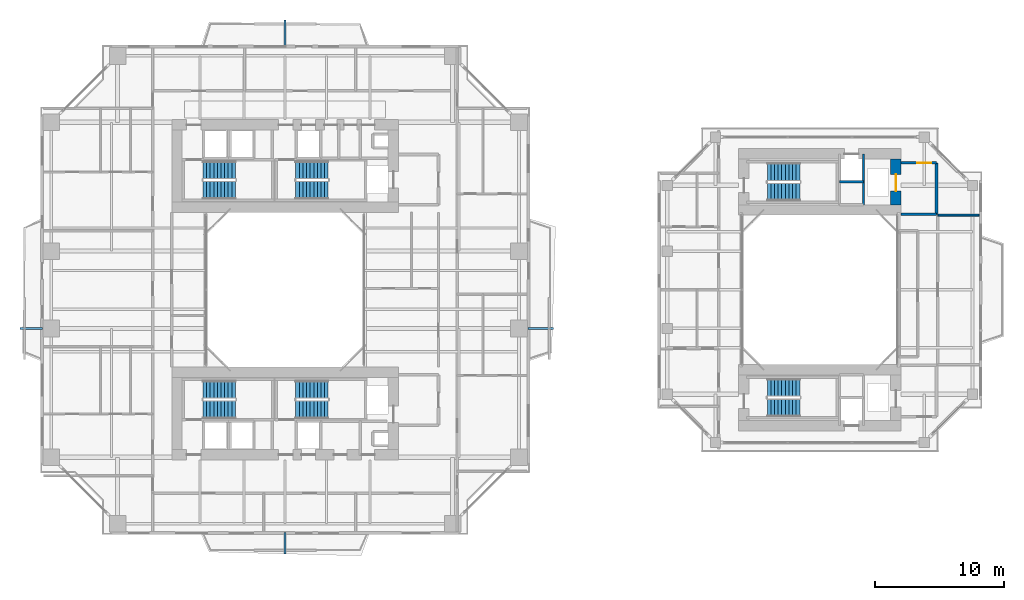
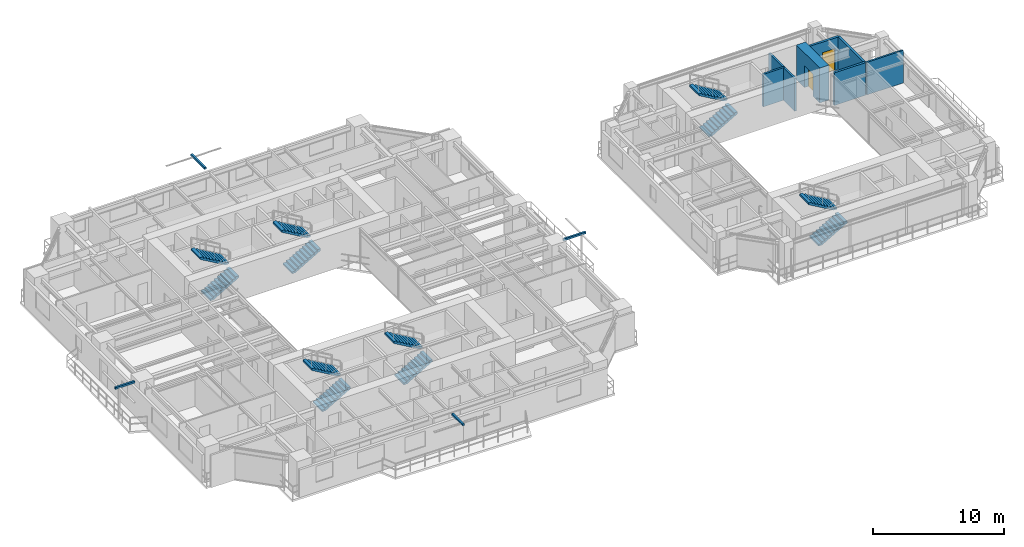
# One storey, part 18 of 23: 12 stair flights, 7 walls, 4 discrete accessories, 2 doors, 2 openings, 6 elements without a shape of their own.
"""IFC4 building model written with IfcOpenShell, lengths in metres."""

from ifc_helpers import new_model, si_unit, direction, frame, frame_2d, origin, origin_2d, place, context, subcontext, project, spatial, polyline, rectangle, outline, extrude, source, transform, mapped, material, layer, layer_set, type_object, element, fill, aggregate, save


model = new_model("IFC4")

# Units and contexts
model_context = context("Model", 3, precision=1e-05, world=origin(), true_north=direction((0.0, 1.0)))
body_context = subcontext(model_context, "Body", "Model", "MODEL_VIEW")
ifc_project = project(units=[si_unit("LENGTHUNIT", "METRE"), si_unit("AREAUNIT", "SQUARE_METRE"), si_unit("VOLUMEUNIT", "CUBIC_METRE"), si_unit("PLANEANGLEUNIT", "RADIAN"), si_unit("MASSUNIT", "GRAM", prefix="KILO"), si_unit("THERMODYNAMICTEMPERATUREUNIT", "KELVIN"), si_unit("POWERUNIT", "WATT")], contexts=[model_context])

# Site, building, storey
site_placement = place(None, origin())
site = spatial("IfcSite", under=ifc_project, at=site_placement, CompositionType="ELEMENT")
building_placement = place(site_placement, origin())
building = spatial("IfcBuilding", under=site, at=building_placement, Name="Qiaomeng Ring Towers", CompositionType="ELEMENT")
storey_placement = place(building_placement, frame((0.0, 0.0, 89.25)))
storey = spatial("IfcBuildingStorey", under=building, at=storey_placement, Name="L25", CompositionType="ELEMENT", Elevation=89.25)

# Walls
ifc_material_1 = material(Name="Autoclaved aerated concrete block", Category="concrete")
ifc_layer_1 = layer(ifc_material_1, 0.199951171875, Name="Autoclaved aerated concrete block")
ifc_layer_set_1 = layer_set([ifc_layer_1], Name="Autoclaved aerated concrete block")
wall_type_1 = type_object("IfcWallType", Name="ARC-WL-PW1", PredefinedType="PARTITIONING", material=ifc_layer_set_1)
wall_1_placement = place(storey_placement, frame((66.800048828125, 28.85009765625, 0.0), z_axis=(0.0, 0.0, 1.0), x_axis=(1.0, 0.0, 0.0)))
element("IfcWall", 1, at=wall_1_placement, inside=storey, type_object=wall_type_1, Name="L25 Interior Wall PW1", PredefinedType="PARTITIONING", context=body_context, shape_type="SweptSolid", body=[
    extrude(rectangle(XDim=2.75, YDim=0.199951171875, at=frame_2d((1.375, 0.0))), origin(), (0.0, 0.0, 1.0), 3.030029296875),
])
wall_2_placement = place(storey_placement, frame((69.550048828125, 28.85009765625, 0.0), z_axis=(0.0, 0.0, 1.0), x_axis=(0.0, 1.0, 0.0)))
element("IfcWall", 2, at=wall_2_placement, inside=storey, type_object=wall_type_1, Name="L25 Interior Wall PW1", PredefinedType="PARTITIONING", context=body_context, shape_type="SweptSolid", body=[
    extrude(rectangle(XDim=4.0, YDim=0.199951171875, at=frame_2d((2.0, 0.0))), origin(), (0.0, 0.0, 1.0), 3.030029296875),
])

# Wall, opening, door
wall_3_placement = place(storey_placement, frame((66.800048828125, 32.85009765625, 0.0), z_axis=(0.0, 0.0, 1.0), x_axis=(1.0, 0.0, 0.0)))
wall_3 = element("IfcWall", 3, at=wall_3_placement, inside=storey, type_object=wall_type_1, Name="L25 Interior Wall PW1", PredefinedType="PARTITIONING", context=body_context, shape_type="SweptSolid", body=[
    extrude(rectangle(XDim=2.75, YDim=0.199951171875, at=frame_2d((1.375, 0.0))), origin(), (0.0, 0.0, 1.0), 3.030029296875),
])
opening_1_placement = place(wall_3_placement, frame((1.25, 0.0, 0.0)))
opening_1 = element("IfcOpeningElement", 4, at=opening_1_placement, cuts=wall_3, Name="Opening FD3", PredefinedType="OPENING", context=body_context, shape_type="SweptSolid", body=[
    extrude(rectangle(XDim=1.10009765625, YDim=2.050048828125, at=frame_2d((0.550048828125, 1.02490234375))), frame((0.0, 0.10986328125, 0.0), z_axis=(0.0, -1.0, 0.0), x_axis=(1.0, 0.0, 0.0)), (0.0, 0.0, 1.0), 0.219970703125),
])
ifc_material_2 = material(Name="Galvanised steel", Category="steel")
door_type_1 = type_object("IfcDoorType", Name="ARC-DR-FD3", OperationType="NOTDEFINED", PredefinedType="DOOR", material=ifc_material_2)
shared_shape_1 = source(origin(), body_context, "Body", "SweptSolid", [
    extrude(rectangle(XDim=1.10009765625, YDim=2.050048828125, at=frame_2d((0.550048828125, 1.02490234375))), frame((0.0, 0.02490234375, 0.0), z_axis=(0.0, -1.0, 0.0), x_axis=(1.0, 0.0, 0.0)), (0.0, 0.0, 1.0), 0.050048828125),
])
door_1_placement = place(opening_1_placement, origin())
door_1 = element("IfcDoor", 5, at=door_1_placement, inside=storey, type_object=door_type_1, Name="L25 Door FD3", OperationType="SINGLE_SWING_LEFT", OverallHeight=2.050048828125, OverallWidth=1.10009765625, PredefinedType="DOOR", context=body_context, shape_type="MappedRepresentation", body=[
    mapped(shared_shape_1, transform((0.0, 0.0, 0.0), x_axis=(1.0, 0.0, 0.0), y_axis=(0.0, 1.0, 0.0), z_axis=(0.0, 0.0, 1.0), scale=1.0)),
])
fill(opening_1, door_1)

# Walls
ifc_material_3 = material(Name="Gypsum fireboard steel-stud partition", Category="steel")
ifc_layer_2 = layer(ifc_material_3, 0.14990234375, Name="Gypsum fireboard steel-stud partition")
ifc_layer_set_2 = layer_set([ifc_layer_2], Name="Gypsum fireboard steel-stud partition")
wall_type_2 = type_object("IfcWallType", Name="ARC-WL-PW3", PredefinedType="PARTITIONING", material=ifc_layer_set_2)
wall_4_placement = place(storey_placement, frame((69.64990234375, 28.800048828125, 0.0), z_axis=(0.0, 0.0, 1.0), x_axis=(1.0, 0.0, 0.0)))
element("IfcWall", 6, at=wall_4_placement, inside=storey, type_object=wall_type_2, Name="L25 Interior Wall PW3", PredefinedType="PARTITIONING", context=body_context, shape_type="SweptSolid", body=[
    extrude(rectangle(XDim=3.2001953125, YDim=0.14990234375, at=frame_2d((1.60009765625, 0.0))), origin(), (0.0, 0.0, 1.0), 3.030029296875),
])
ifc_material_4 = material(Name="Concrete C40", Category="concrete")
ifc_layer_3 = layer(ifc_material_4, 0.199951171875, Name="Concrete C40")
ifc_layer_set_3 = layer_set([ifc_layer_3], Name="Concrete C40")
wall_type_3 = type_object("IfcWallType", Name="STR-WL-STSHAFT", PredefinedType="SHEAR", material=ifc_layer_set_3)
wall_5_placement = place(storey_placement, frame((63.8798828125, 29.60009765625, 0.0), z_axis=(0.0, 0.0, 1.0), x_axis=(0.0, 1.0, 0.0)))
element("IfcWall", 7, at=wall_5_placement, inside=storey, type_object=wall_type_3, Name="L25 Companion Lift Shaft East Wall N", PredefinedType="SHEAR", context=body_context, shape_type="SweptSolid", body=[
    extrude(rectangle(XDim=3.949951171875, YDim=0.179931640625, at=frame_2d((1.97509765625, 0.0))), origin(), (0.0, 0.0, 1.0), 3.030029296875),
])
wall_6_placement = place(storey_placement, frame((62.02001953125, 31.3798828125, 0.0), z_axis=(0.0, 0.0, 1.0), x_axis=(1.0, 0.0, 0.0)))
element("IfcWall", 8, at=wall_6_placement, inside=storey, type_object=wall_type_3, Name="L25 Companion Lift Shaft Divider Wall N", PredefinedType="SHEAR", context=body_context, shape_type="SweptSolid", body=[
    extrude(rectangle(XDim=1.85986328125, YDim=0.179931640625, at=frame_2d((0.929931640625, 0.0))), origin(), (0.0, 0.0, 1.0), 3.030029296875),
])

# Wall, opening, door
ifc_material_5 = material(Name="Concrete C60", Category="concrete")
ifc_layer_4 = layer(ifc_material_5, 0.800048828125, Name="Concrete C60")
ifc_layer_set_4 = layer_set([ifc_layer_4], Name="Concrete C60")
wall_type_4 = type_object("IfcWallType", Name="STR-WL-SW1", PredefinedType="SHEAR", material=ifc_layer_set_4)
wall_7_placement = place(storey_placement, frame((66.39990234375, 29.60009765625, 0.0), z_axis=(0.0, 0.0, 1.0), x_axis=(0.0, 1.0, 0.0)))
wall_7 = element("IfcWall", 9, at=wall_7_placement, inside=storey, type_object=wall_type_4, Name="L25 T2NC east core shear wall", PredefinedType="SHEAR", context=body_context, shape_type="SweptSolid", body=[
    extrude(rectangle(XDim=3.5498046875, YDim=0.800048828125, at=frame_2d((1.77490234375, 0.0))), origin(), (0.0, 0.0, 1.0), 3.25),
])
opening_2_placement = place(wall_7_placement, frame((1.050048828125, 0.0, 0.0)))
opening_2 = element("IfcOpeningElement", 10, at=opening_2_placement, cuts=wall_7, Name="Opening LD2", PredefinedType="OPENING", context=body_context, shape_type="SweptSolid", body=[
    extrude(rectangle(XDim=1.300048828125, YDim=2.050048828125, at=frame_2d((0.64990234375, 1.02490234375))), frame((0.0, 0.409912109375, 0.0), z_axis=(0.0, -1.0, 0.0), x_axis=(1.0, 0.0, 0.0)), (0.0, 0.0, 1.0), 0.820068359375),
])
ifc_material_6 = material(Name="Stainless steel 316", Category="steel")
door_type_2 = type_object("IfcDoorType", Name="ARC-DR-LD2", OperationType="NOTDEFINED", PredefinedType="DOOR", material=ifc_material_6)
shared_shape_2 = source(origin(), body_context, "Body", "SweptSolid", [
    extrude(rectangle(XDim=1.300048828125, YDim=2.050048828125, at=frame_2d((0.64990234375, 1.02490234375))), frame((0.0, 0.02490234375, 0.0), z_axis=(0.0, -1.0, 0.0), x_axis=(1.0, 0.0, 0.0)), (0.0, 0.0, 1.0), 0.050048828125),
])
door_2_placement = place(opening_2_placement, origin())
door_2 = element("IfcDoor", 11, at=door_2_placement, inside=storey, type_object=door_type_2, Name="L25 Firefighting Lift FL3 Landing Door", OperationType="SLIDING_TO_LEFT", OverallHeight=2.050048828125, OverallWidth=1.300048828125, PredefinedType="DOOR", context=body_context, shape_type="MappedRepresentation", body=[
    mapped(shared_shape_2, transform((0.0, 0.0, 0.0), x_axis=(1.0, 0.0, 0.0), y_axis=(0.0, 1.0, 0.0), z_axis=(0.0, 0.0, 1.0), scale=1.0)),
])
fill(opening_2, door_2)

# Stair, stair flights
ifc_material_7 = material(Name="Precast concrete C40", Category="concrete")
stair_type = type_object("IfcStairType", Name="ARC-ST-325", PredefinedType="HALF_TURN_STAIR", material=ifc_material_7)
stair_1_placement = place(storey_placement, origin())
stair_1 = element("IfcStair", 12, at=stair_1_placement, inside=storey, type_object=stair_type, Name="L25 Tower 1 North Stair 1", PredefinedType="HALF_TURN_STAIR")
stair_flight_type = type_object("IfcStairFlightType", Name="ARC-ST-325-FL", PredefinedType="STRAIGHT", material=ifc_material_7)
shared_shape_3 = source(origin(), body_context, "Body", "SweptSolid", [
    extrude(outline(polyline([(0.0, 0.0), (0.0, 0.16259765625), (0.280029296875, 0.16259765625), (0.280029296875, 0.324951171875), (0.56005859375, 0.324951171875), (0.56005859375, 0.487548828125), (0.840087890625, 0.487548828125), (0.840087890625, 0.64990234375), (1.1201171875, 0.64990234375), (1.1201171875, 0.8125), (1.39990234375, 0.8125), (1.39990234375, 0.97509765625), (1.679931640625, 0.97509765625), (1.679931640625, 1.137451171875), (1.9599609375, 1.137451171875), (1.9599609375, 1.300048828125), (2.239990234375, 1.300048828125), (2.239990234375, 1.46240234375), (2.52001953125, 1.46240234375), (2.52001953125, 1.625), (2.52001953125, 1.2890625), (0.298583984375, 0.0), (0.0, 0.0)])), frame((0.0, 0.699951171875, 0.0), z_axis=(0.0, -1.0, 0.0), x_axis=(1.0, 0.0, 0.0)), (0.0, 0.0, 1.0), 1.39990234375),
])
stair_flight_1_placement = place(storey_placement, frame((12.6201171875, 30.75, 0.0), z_axis=(0.0, 0.0, 1.0), x_axis=(1.0, 0.0, 0.0)))
stair_flight_1 = element("IfcStairFlight", 13, at=stair_flight_1_placement, type_object=stair_flight_type, Name="ST1 flight 1", NumberOfRisers=10, NumberOfTreads=9, PredefinedType="STRAIGHT", RiserHeight=0.1625, TreadLength=0.28, context=body_context, shape_type="MappedRepresentation", body=[
    mapped(shared_shape_3, transform((0.0, 0.0, 0.0), x_axis=(1.0, 0.0, 0.0), y_axis=(0.0, 1.0, 0.0), z_axis=(0.0, 0.0, 1.0), scale=1.0)),
])
stair_flight_2_placement = place(storey_placement, frame((15.139892578125, 32.2900390625, 1.625), z_axis=(0.0, 0.0, 1.0), x_axis=(-1.0, 0.0, 0.0)))
stair_flight_2 = element("IfcStairFlight", 14, at=stair_flight_2_placement, type_object=stair_flight_type, Name="ST1 flight 2", NumberOfRisers=10, NumberOfTreads=9, PredefinedType="STRAIGHT", RiserHeight=0.1625, TreadLength=0.28, context=body_context, shape_type="MappedRepresentation", body=[
    mapped(shared_shape_3, transform((0.0, 0.0, 0.0), x_axis=(1.0, 0.0, 0.0), y_axis=(0.0, 1.0, 0.0), z_axis=(0.0, 0.0, 1.0), scale=1.0)),
])
aggregate(stair_1, [stair_flight_1, stair_flight_2])

stair_2_placement = place(storey_placement, origin())
stair_2 = element("IfcStair", 15, at=stair_2_placement, inside=storey, type_object=stair_type, Name="L25 Tower 1 North Stair 2", PredefinedType="HALF_TURN_STAIR")
stair_flight_3_placement = place(storey_placement, frame((19.820068359375, 30.75, 0.0), z_axis=(0.0, 0.0, 1.0), x_axis=(1.0, 0.0, 0.0)))
stair_flight_3 = element("IfcStairFlight", 16, at=stair_flight_3_placement, type_object=stair_flight_type, Name="ST2 flight 1", NumberOfRisers=10, NumberOfTreads=9, PredefinedType="STRAIGHT", RiserHeight=0.1625, TreadLength=0.28, context=body_context, shape_type="MappedRepresentation", body=[
    mapped(shared_shape_3, transform((0.0, 0.0, 0.0), x_axis=(1.0, 0.0, 0.0), y_axis=(0.0, 1.0, 0.0), z_axis=(0.0, 0.0, 1.0), scale=1.0)),
])
stair_flight_4_placement = place(storey_placement, frame((22.340087890625, 32.2900390625, 1.625), z_axis=(0.0, 0.0, 1.0), x_axis=(-1.0, 0.0, 0.0)))
stair_flight_4 = element("IfcStairFlight", 17, at=stair_flight_4_placement, type_object=stair_flight_type, Name="ST2 flight 2", NumberOfRisers=10, NumberOfTreads=9, PredefinedType="STRAIGHT", RiserHeight=0.1625, TreadLength=0.28, context=body_context, shape_type="MappedRepresentation", body=[
    mapped(shared_shape_3, transform((0.0, 0.0, 0.0), x_axis=(1.0, 0.0, 0.0), y_axis=(0.0, 1.0, 0.0), z_axis=(0.0, 0.0, 1.0), scale=1.0)),
])
aggregate(stair_2, [stair_flight_3, stair_flight_4])

stair_3_placement = place(storey_placement, origin())
stair_3 = element("IfcStair", 18, at=stair_3_placement, inside=storey, type_object=stair_type, Name="L25 Tower 1 South Stair 3", PredefinedType="HALF_TURN_STAIR")
stair_flight_5_placement = place(storey_placement, frame((12.6201171875, 13.7099609375, 0.0), z_axis=(0.0, 0.0, 1.0), x_axis=(1.0, 0.0, 0.0)))
stair_flight_5 = element("IfcStairFlight", 19, at=stair_flight_5_placement, type_object=stair_flight_type, Name="ST3 flight 1", NumberOfRisers=10, NumberOfTreads=9, PredefinedType="STRAIGHT", RiserHeight=0.1625, TreadLength=0.28, context=body_context, shape_type="MappedRepresentation", body=[
    mapped(shared_shape_3, transform((0.0, 0.0, 0.0), x_axis=(1.0, 0.0, 0.0), y_axis=(0.0, 1.0, 0.0), z_axis=(0.0, 0.0, 1.0), scale=1.0)),
])
stair_flight_6_placement = place(storey_placement, frame((15.139892578125, 15.25, 1.625), z_axis=(0.0, 0.0, 1.0), x_axis=(-1.0, 0.0, 0.0)))
stair_flight_6 = element("IfcStairFlight", 20, at=stair_flight_6_placement, type_object=stair_flight_type, Name="ST3 flight 2", NumberOfRisers=10, NumberOfTreads=9, PredefinedType="STRAIGHT", RiserHeight=0.1625, TreadLength=0.28, context=body_context, shape_type="MappedRepresentation", body=[
    mapped(shared_shape_3, transform((0.0, 0.0, 0.0), x_axis=(1.0, 0.0, 0.0), y_axis=(0.0, 1.0, 0.0), z_axis=(0.0, 0.0, 1.0), scale=1.0)),
])
aggregate(stair_3, [stair_flight_5, stair_flight_6])

stair_4_placement = place(storey_placement, origin())
stair_4 = element("IfcStair", 21, at=stair_4_placement, inside=storey, type_object=stair_type, Name="L25 Tower 1 South Stair 4", PredefinedType="HALF_TURN_STAIR")
stair_flight_7_placement = place(storey_placement, frame((19.820068359375, 13.7099609375, 0.0), z_axis=(0.0, 0.0, 1.0), x_axis=(1.0, 0.0, 0.0)))
stair_flight_7 = element("IfcStairFlight", 22, at=stair_flight_7_placement, type_object=stair_flight_type, Name="ST4 flight 1", NumberOfRisers=10, NumberOfTreads=9, PredefinedType="STRAIGHT", RiserHeight=0.1625, TreadLength=0.28, context=body_context, shape_type="MappedRepresentation", body=[
    mapped(shared_shape_3, transform((0.0, 0.0, 0.0), x_axis=(1.0, 0.0, 0.0), y_axis=(0.0, 1.0, 0.0), z_axis=(0.0, 0.0, 1.0), scale=1.0)),
])
stair_flight_8_placement = place(storey_placement, frame((22.340087890625, 15.25, 1.625), z_axis=(0.0, 0.0, 1.0), x_axis=(-1.0, 0.0, 0.0)))
stair_flight_8 = element("IfcStairFlight", 23, at=stair_flight_8_placement, type_object=stair_flight_type, Name="ST4 flight 2", NumberOfRisers=10, NumberOfTreads=9, PredefinedType="STRAIGHT", RiserHeight=0.1625, TreadLength=0.28, context=body_context, shape_type="MappedRepresentation", body=[
    mapped(shared_shape_3, transform((0.0, 0.0, 0.0), x_axis=(1.0, 0.0, 0.0), y_axis=(0.0, 1.0, 0.0), z_axis=(0.0, 0.0, 1.0), scale=1.0)),
])
aggregate(stair_4, [stair_flight_7, stair_flight_8])

stair_5_placement = place(storey_placement, origin())
stair_5 = element("IfcStair", 24, at=stair_5_placement, inside=storey, type_object=stair_type, Name="L25 Companion North Stair 5", PredefinedType="HALF_TURN_STAIR")
stair_flight_9_placement = place(storey_placement, frame((56.419921875, 30.60009765625, 0.0), z_axis=(0.0, 0.0, 1.0), x_axis=(1.0, 0.0, 0.0)))
stair_flight_9 = element("IfcStairFlight", 25, at=stair_flight_9_placement, type_object=stair_flight_type, Name="ST5 flight 1", NumberOfRisers=10, NumberOfTreads=9, PredefinedType="STRAIGHT", RiserHeight=0.1625, TreadLength=0.28, context=body_context, shape_type="MappedRepresentation", body=[
    mapped(shared_shape_3, transform((0.0, 0.0, 0.0), x_axis=(1.0, 0.0, 0.0), y_axis=(0.0, 1.0, 0.0), z_axis=(0.0, 0.0, 1.0), scale=1.0)),
])
stair_flight_10_placement = place(storey_placement, frame((58.93994140625, 32.139892578125, 1.625), z_axis=(0.0, 0.0, 1.0), x_axis=(-1.0, 0.0, 0.0)))
stair_flight_10 = element("IfcStairFlight", 26, at=stair_flight_10_placement, type_object=stair_flight_type, Name="ST5 flight 2", NumberOfRisers=10, NumberOfTreads=9, PredefinedType="STRAIGHT", RiserHeight=0.1625, TreadLength=0.28, context=body_context, shape_type="MappedRepresentation", body=[
    mapped(shared_shape_3, transform((0.0, 0.0, 0.0), x_axis=(1.0, 0.0, 0.0), y_axis=(0.0, 1.0, 0.0), z_axis=(0.0, 0.0, 1.0), scale=1.0)),
])
aggregate(stair_5, [stair_flight_9, stair_flight_10])

stair_6_placement = place(storey_placement, origin())
stair_6 = element("IfcStair", 27, at=stair_6_placement, inside=storey, type_object=stair_type, Name="L25 Companion South Stair 6", PredefinedType="HALF_TURN_STAIR")
stair_flight_11_placement = place(storey_placement, frame((56.419921875, 13.860107421875, 0.0), z_axis=(0.0, 0.0, 1.0), x_axis=(1.0, 0.0, 0.0)))
stair_flight_11 = element("IfcStairFlight", 28, at=stair_flight_11_placement, type_object=stair_flight_type, Name="ST6 flight 1", NumberOfRisers=10, NumberOfTreads=9, PredefinedType="STRAIGHT", RiserHeight=0.1625, TreadLength=0.28, context=body_context, shape_type="MappedRepresentation", body=[
    mapped(shared_shape_3, transform((0.0, 0.0, 0.0), x_axis=(1.0, 0.0, 0.0), y_axis=(0.0, 1.0, 0.0), z_axis=(0.0, 0.0, 1.0), scale=1.0)),
])
stair_flight_12_placement = place(storey_placement, frame((58.93994140625, 15.39990234375, 1.625), z_axis=(0.0, 0.0, 1.0), x_axis=(-1.0, 0.0, 0.0)))
stair_flight_12 = element("IfcStairFlight", 29, at=stair_flight_12_placement, type_object=stair_flight_type, Name="ST6 flight 2", NumberOfRisers=10, NumberOfTreads=9, PredefinedType="STRAIGHT", RiserHeight=0.1625, TreadLength=0.28, context=body_context, shape_type="MappedRepresentation", body=[
    mapped(shared_shape_3, transform((0.0, 0.0, 0.0), x_axis=(1.0, 0.0, 0.0), y_axis=(0.0, 1.0, 0.0), z_axis=(0.0, 0.0, 1.0), scale=1.0)),
])
aggregate(stair_6, [stair_flight_11, stair_flight_12])

# Discrete accessories
discrete_accessory_type = type_object("IfcDiscreteAccessoryType", Name="ARC-ACC-BRACKET", PredefinedType="BRACKET", material=ifc_material_6)
shared_shape_4 = source(origin(), body_context, "Body", "SweptSolid", [
    extrude(rectangle(XDim=0.159912109375, YDim=1.64990234375, at=origin_2d()), origin(), (0.0, 0.0, 1.0), 0.179931640625),
])
discrete_accessory_1_placement = place(storey_placement, frame((19.0, 3.324951171875, 2.85986328125), z_axis=(0.0, 0.0, 1.0), x_axis=(1.0, 0.0, 0.0)))
element("IfcDiscreteAccessory", 30, at=discrete_accessory_1_placement, inside=storey, type_object=discrete_accessory_type, Name="L25 Stainless Outer-Skin Tie Bracket S", PredefinedType="BRACKET", context=body_context, shape_type="MappedRepresentation", body=[
    mapped(shared_shape_4, transform((0.0, 0.0, 0.0), x_axis=(1.0, 0.0, 0.0), y_axis=(0.0, 1.0, 0.0), z_axis=(0.0, 0.0, 1.0), scale=1.0)),
])
shared_shape_5 = source(origin(), body_context, "Body", "SweptSolid", [
    extrude(rectangle(XDim=1.989990234375, YDim=0.159912109375, at=origin_2d()), origin(), (0.0, 0.0, 1.0), 0.179931640625),
])
discrete_accessory_2_placement = place(storey_placement, frame((38.844970703125, 20.0, 2.85986328125), z_axis=(0.0, 0.0, 1.0), x_axis=(1.0, 0.0, 0.0)))
element("IfcDiscreteAccessory", 31, at=discrete_accessory_2_placement, inside=storey, type_object=discrete_accessory_type, Name="L25 Stainless Outer-Skin Tie Bracket E", PredefinedType="BRACKET", context=body_context, shape_type="MappedRepresentation", body=[
    mapped(shared_shape_5, transform((0.0, 0.0, 0.0), x_axis=(1.0, 0.0, 0.0), y_axis=(0.0, 1.0, 0.0), z_axis=(0.0, 0.0, 1.0), scale=1.0)),
])
shared_shape_6 = source(origin(), body_context, "Body", "SweptSolid", [
    extrude(rectangle(XDim=0.159912109375, YDim=2.090087890625, at=origin_2d()), origin(), (0.0, 0.0, 1.0), 0.179931640625),
])
discrete_accessory_3_placement = place(storey_placement, frame((19.0, 42.89501953125, 2.85986328125), z_axis=(0.0, 0.0, 1.0), x_axis=(1.0, 0.0, 0.0)))
element("IfcDiscreteAccessory", 32, at=discrete_accessory_3_placement, inside=storey, type_object=discrete_accessory_type, Name="L25 Stainless Outer-Skin Tie Bracket N", PredefinedType="BRACKET", context=body_context, shape_type="MappedRepresentation", body=[
    mapped(shared_shape_6, transform((0.0, 0.0, 0.0), x_axis=(1.0, 0.0, 0.0), y_axis=(0.0, 1.0, 0.0), z_axis=(0.0, 0.0, 1.0), scale=1.0)),
])
shared_shape_7 = source(origin(), body_context, "Body", "SweptSolid", [
    extrude(rectangle(XDim=1.72998046875, YDim=0.159912109375, at=origin_2d()), origin(), (0.0, 0.0, 1.0), 0.179931640625),
])
discrete_accessory_4_placement = place(storey_placement, frame((-0.715087890625, 20.0, 2.85986328125), z_axis=(0.0, 0.0, 1.0), x_axis=(1.0, 0.0, 0.0)))
element("IfcDiscreteAccessory", 33, at=discrete_accessory_4_placement, inside=storey, type_object=discrete_accessory_type, Name="L25 Stainless Outer-Skin Tie Bracket W", PredefinedType="BRACKET", context=body_context, shape_type="MappedRepresentation", body=[
    mapped(shared_shape_7, transform((0.0, 0.0, 0.0), x_axis=(1.0, 0.0, 0.0), y_axis=(0.0, 1.0, 0.0), z_axis=(0.0, 0.0, 1.0), scale=1.0)),
])

save(model, "model.ifc")
